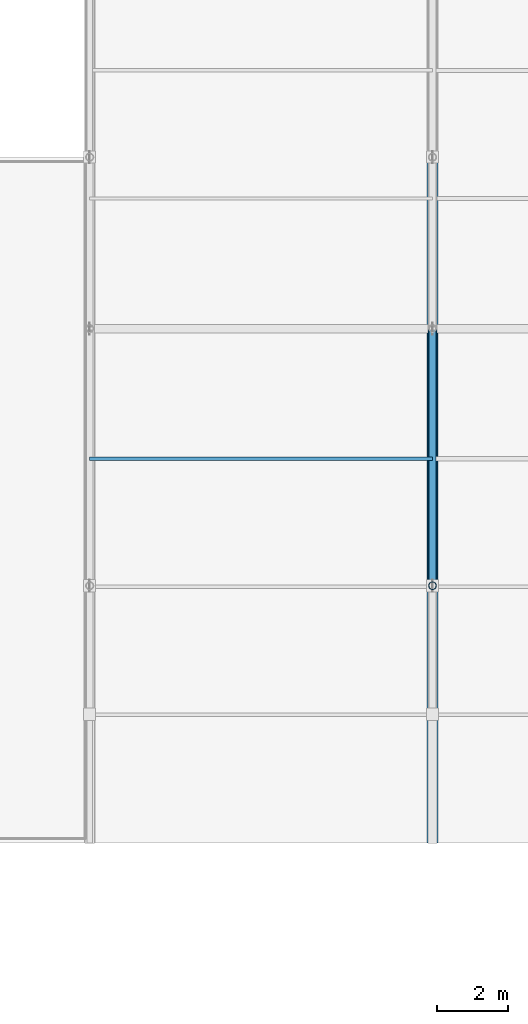
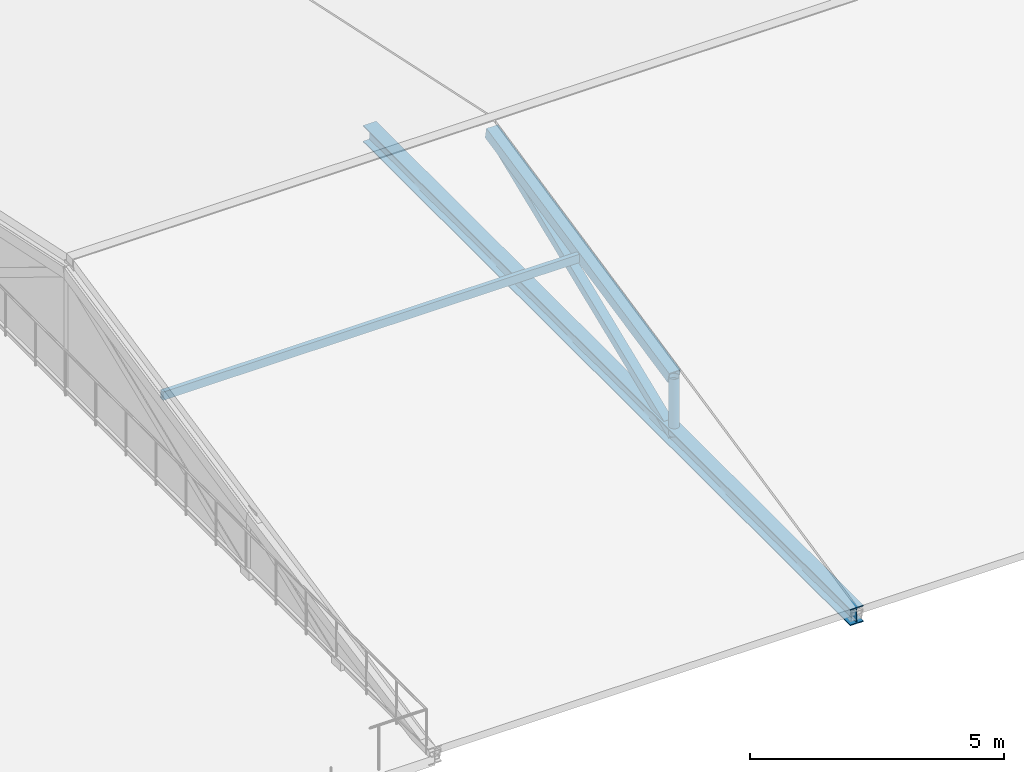
# One storey, part 34 of 61: 5 members.
"""IFC4 building model written with IfcOpenShell, lengths in metres."""

from ifc_helpers import new_model, si_unit, direction, frame, origin, origin_2d, place, context, subcontext, project, spatial, hollow_rectangle, hollow_circle, i_section, extrude, material, material_profile, profile_set, type_object, element, save


model = new_model("IFC4")

# Units and contexts
model_context = context("Model", 3, precision=1e-05, world=origin(), true_north=direction((0.0, 1.0)))
body_context = subcontext(model_context, "Body", "Model", "MODEL_VIEW")
ifc_project = project(units=[si_unit("LENGTHUNIT", "METRE"), si_unit("AREAUNIT", "SQUARE_METRE"), si_unit("VOLUMEUNIT", "CUBIC_METRE"), si_unit("PLANEANGLEUNIT", "RADIAN"), si_unit("MASSUNIT", "GRAM", prefix="KILO")], contexts=[model_context])

# Site, building, storey
site_placement = place(None, origin())
site = spatial("IfcSite", under=ifc_project, at=site_placement, CompositionType="ELEMENT")
building_placement = place(site_placement, origin())
building = spatial("IfcBuilding", under=site, at=building_placement, Name="Fikremerkos Civic Library", CompositionType="ELEMENT")
storey_placement = place(building_placement, frame((0.0, 0.0, 14.39990234375)))
storey = spatial("IfcBuildingStorey", under=building, at=storey_placement, Name="L03", CompositionType="ELEMENT", Elevation=14.39990234375)

# Members
ifc_material = material(Name="Steel S355", Category="steel")
ifc_material_profile_1 = material_profile(ifc_material, hollow_rectangle(XDim=0.199951171875, YDim=0.199951171875, WallThickness=0.010009765625, at=origin_2d()), Name="SHS 200x200x10")
ifc_profile_set_1 = profile_set([ifc_material_profile_1], Name="Steel S355")
member_type_1 = type_object("IfcMemberType", Name="Diagonal brace BRC-02 SHS 200x200x10", PredefinedType="BRACE", material=ifc_profile_set_1)
member_1_placement = place(storey_placement, frame((134.39990234375, 19.199951171875, 0.0), z_axis=(0.0, 0.926649649377, 0.375926092881), x_axis=(-1.0, 0.0, 0.0)))
element("IfcMember", 1, at=member_1_placement, inside=storey, type_object=member_type_1, Name="Auditorium roof truss diagonal web BRC-02 X=134.4 #2", PredefinedType="BRACE", context=body_context, shape_type="SweptSolid", body=[
    extrude(hollow_rectangle(XDim=0.199951171875, YDim=0.199951171875, WallThickness=0.010009765625, at=origin_2d()), origin(), (0.0, 0.0, 1.0), 7.769775390625),
])
ifc_material_profile_2 = material_profile(ifc_material, hollow_circle(Radius=0.109619140625, WallThickness=0.010009765625, at=origin_2d()), Name="CHS 219.1x10")
ifc_profile_set_2 = profile_set([ifc_material_profile_2], Name="Steel S355")
member_type_2 = type_object("IfcMemberType", Name="Frame post PST-03 CHS 219.1x10", PredefinedType="POST", material=ifc_profile_set_2)
member_2_placement = place(storey_placement, frame((134.39990234375, 19.199951171875, 0.0), z_axis=(0.0, 0.0, 1.0), x_axis=(1.0, 0.0, 0.0)))
element("IfcMember", 2, at=member_2_placement, inside=storey, type_object=member_type_2, Name="Auditorium roof truss vertical web PST-03 X=134.4 #1", PredefinedType="POST", context=body_context, shape_type="SweptSolid", body=[
    extrude(hollow_circle(Radius=0.109619140625, WallThickness=0.010009765625, at=origin_2d()), origin(), (0.0, 0.0, 1.0), 1.390625),
])
ifc_material_profile_3 = material_profile(ifc_material, hollow_rectangle(XDim=0.10009765625, YDim=0.199951171875, WallThickness=0.008056640625, at=origin_2d()), Name="RHS 200x100x8")
ifc_profile_set_3 = profile_set([ifc_material_profile_3], Name="Steel S355")
member_type_3 = type_object("IfcMemberType", Name="Roof purlin PUR-05 RHS 200x100x8", PredefinedType="PURLIN", material=ifc_profile_set_3)
member_3_placement = place(storey_placement, frame((124.800048828125, 22.7587890625, 2.140869140625), z_axis=(1.0, 0.0, 0.0), x_axis=(0.0, 1.0, 0.0)))
element("IfcMember", 3, at=member_3_placement, inside=storey, type_object=member_type_3, Name="Roof purlin PUR-05 V3 bay 1.1.3", PredefinedType="PURLIN", context=body_context, shape_type="SweptSolid", body=[
    extrude(hollow_rectangle(XDim=0.10009765625, YDim=0.199951171875, WallThickness=0.008056640625, at=origin_2d()), origin(), (0.0, 0.0, 1.0), 9.599853515625),
])
ifc_material_profile_4 = material_profile(ifc_material, i_section(OverallWidth=0.300048828125, OverallDepth=0.39990234375, WebThickness=0.013427734375, FlangeThickness=0.02392578125, FilletRadius=0.027099609375, at=origin_2d()), Name="HEB 400")
ifc_profile_set_4 = profile_set([ifc_material_profile_4], Name="Steel S355")
member_type_4 = type_object("IfcMemberType", Name="Truss chord CHD-01 HEB 400", PredefinedType="CHORD", material=ifc_profile_set_4)
member_4_placement = place(storey_placement, frame((134.39990234375, 12.0, 0.0), z_axis=(0.0, 1.0, 0.0), x_axis=(-1.0, 0.0, 0.0)))
element("IfcMember", 4, at=member_4_placement, inside=storey, type_object=member_type_4, Name="Auditorium roof truss bottom chord CHD-01 X=134.4 #1", PredefinedType="CHORD", context=body_context, shape_type="SweptSolid", body=[
    extrude(i_section(OverallWidth=0.300048828125, OverallDepth=0.39990234375, WebThickness=0.013427734375, FlangeThickness=0.02392578125, FilletRadius=0.027099609375, at=origin_2d()), origin(), (0.0, 0.0, 1.0), 19.199951171875),
])
ifc_material_profile_5 = material_profile(ifc_material, hollow_rectangle(XDim=0.260009765625, YDim=0.260009765625, WallThickness=0.01416015625, at=origin_2d()), Name="SHS 260x260x14.2")
ifc_profile_set_5 = profile_set([ifc_material_profile_5], Name="Steel S355")
member_type_5 = type_object("IfcMemberType", Name="Truss chord CHD-03 SHS 260x260x14.2", PredefinedType="CHORD", material=ifc_profile_set_5)
member_5_placement = place(storey_placement, frame((134.39990234375, 19.199951171875, 1.390625), z_axis=(0.0, 0.978151010745, 0.207895647328), x_axis=(-1.0, 0.0, 0.0)))
element("IfcMember", 5, at=member_5_placement, inside=storey, type_object=member_type_5, Name="Auditorium roof truss top chord CHD-03 X=134.4 #2", PredefinedType="CHORD", context=body_context, shape_type="SweptSolid", body=[
    extrude(hollow_rectangle(XDim=0.260009765625, YDim=0.260009765625, WallThickness=0.01416015625, at=origin_2d()), origin(), (0.0, 0.0, 1.0), 7.36083984375),
])

save(model, "model.ifc")
